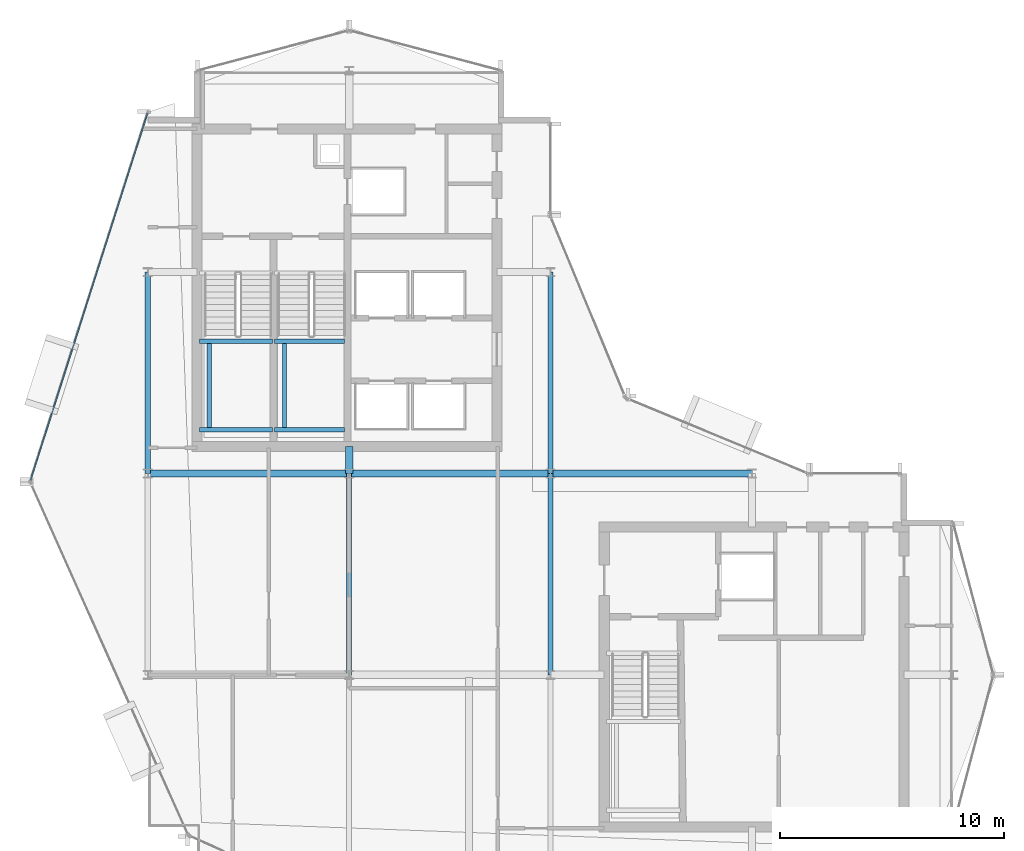
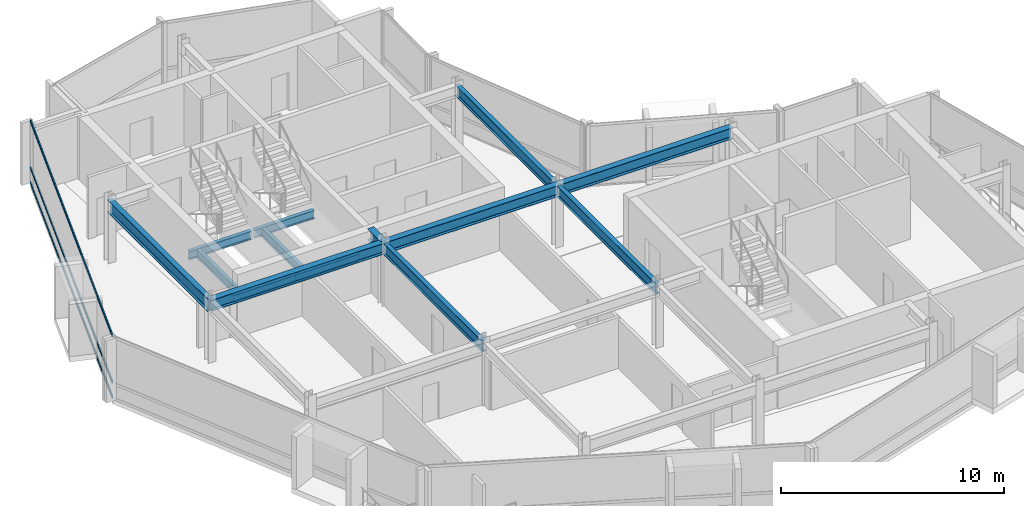
# One storey, part 7 of 19: 14 beams, 3 members, 1 element without a shape of its own.
"""IFC4 building model written with IfcOpenShell, lengths in metres."""

from ifc_helpers import new_model, si_unit, direction, frame, origin, origin_2d, place, context, subcontext, project, spatial, hollow_rectangle, i_section, extrude, material, layer, layer_set, material_profile, profile_set, type_object, element, aggregate, save


model = new_model("IFC4")

# Units and contexts
model_context = context("Model", 3, precision=1e-05, world=origin(), true_north=direction((0.0, 1.0)))
body_context = subcontext(model_context, "Body", "Model", "MODEL_VIEW")
ifc_project = project(units=[si_unit("LENGTHUNIT", "METRE"), si_unit("AREAUNIT", "SQUARE_METRE"), si_unit("VOLUMEUNIT", "CUBIC_METRE"), si_unit("PLANEANGLEUNIT", "RADIAN"), si_unit("MASSUNIT", "GRAM", prefix="KILO")], contexts=[model_context])

# Site, building, storey
site_placement = place(None, origin())
site = spatial("IfcSite", under=ifc_project, at=site_placement, CompositionType="ELEMENT")
building_placement = place(site_placement, origin())
building = spatial("IfcBuilding", under=site, at=building_placement, Name="Solvaryn Broadcast Tower", CompositionType="ELEMENT")
storey_placement = place(building_placement, frame((0.0, 0.0, 277.800048828125)))
storey = spatial("IfcBuildingStorey", under=building, at=storey_placement, Name="L70", CompositionType="ELEMENT", Elevation=277.800048828125)

# Beams
ifc_material_1 = material(Name="Steel ASTM A992 Grade 50", Category="steel")
ifc_material_profile_1 = material_profile(ifc_material_1, i_section(OverallWidth=0.323974609375, OverallDepth=0.611083984375, WebThickness=0.0126953125, FlangeThickness=0.01904296875, FilletRadius=0.014892578125, at=origin_2d()))
ifc_profile_set_1 = profile_set([ifc_material_profile_1], Name="Steel ASTM A992 Grade 50")
beam_type_1 = type_object("IfcBeamType", Name="BM-B1-W24X104", PredefinedType="BEAM", material=ifc_profile_set_1)
for number, where, z_axis, x_axis, name in (
    (1, (9.0, 27.0, 3.114501953125), (1.0, 0.0, 0.0), (0.0, 1.0, 0.0), "L70 Primary Beam X (9-18 @ Y=27)"),
    (2, (18.0, 27.0, 3.114501953125), (1.0, 0.0, 0.0), (0.0, 1.0, 0.0), "L70 Primary Beam X (18-27 @ Y=27)"),
    (3, (27.0, 27.0, 3.114501953125), (1.0, 0.0, 0.0), (0.0, 1.0, 0.0), "L70 Primary Beam X (27-36 @ Y=27)"),
):
    element("IfcBeam", number, at=place(storey_placement, frame(where, z_axis=z_axis, x_axis=x_axis)), inside=storey, type_object=beam_type_1, Name=name, PredefinedType="BEAM", context=body_context, shape_type="SweptSolid", body=[
        extrude(i_section(OverallWidth=0.323974609375, OverallDepth=0.611083984375, WebThickness=0.0126953125, FlangeThickness=0.01904296875, FilletRadius=0.014892578125, at=origin_2d()), origin(), (0.0, 0.0, 1.0), 9.0),
    ])
beam_1_placement = place(storey_placement, frame((18.0, 27.0, 3.114501953125), z_axis=(0.0, 1.0, 0.0), x_axis=(-1.0, 0.0, 0.0)))
element("IfcBeam", 4, at=beam_1_placement, inside=storey, type_object=beam_type_1, Name="L70 Core Tie Beam CTW4", PredefinedType="BEAM", context=body_context, shape_type="SweptSolid", body=[
    extrude(i_section(OverallWidth=0.323974609375, OverallDepth=0.611083984375, WebThickness=0.0126953125, FlangeThickness=0.01904296875, FilletRadius=0.014892578125, at=origin_2d()), origin(), (0.0, 0.0, 1.0), 1.199951171875),
])
ifc_material_2 = material(Name="Steel ASTM A992 Grade 50", Category="steel")
ifc_material_profile_2 = material_profile(ifc_material_2, i_section(OverallWidth=0.22802734375, OverallDepth=0.60791015625, WebThickness=0.01123046875, FlangeThickness=0.017333984375, FilletRadius=0.014892578125, at=origin_2d()))
ifc_profile_set_2 = profile_set([ifc_material_profile_2], Name="Steel ASTM A992 Grade 50")
beam_type_2 = type_object("IfcBeamType", Name="BM-B2-W24X76", PredefinedType="BEAM", material=ifc_profile_set_2)
for number, where, z_axis, x_axis, name in (
    (5, (18.0, 18.0, 3.115966796875), (0.0, 1.0, 0.0), (-1.0, 0.0, 0.0), "L70 Primary Beam Y (18-27 @ X=18)"),
    (6, (27.0, 18.0, 3.115966796875), (0.0, 1.0, 0.0), (-1.0, 0.0, 0.0), "L70 Primary Beam Y (18-27 @ X=27)"),
    (7, (27.0, 27.0, 3.115966796875), (0.0, 1.0, 0.0), (-1.0, 0.0, 0.0), "L70 Primary Beam Y (27-36 @ X=27)"),
):
    element("IfcBeam", number, at=place(storey_placement, frame(where, z_axis=z_axis, x_axis=x_axis)), inside=storey, type_object=beam_type_2, Name=name, PredefinedType="BEAM", context=body_context, shape_type="SweptSolid", body=[
        extrude(i_section(OverallWidth=0.22802734375, OverallDepth=0.60791015625, WebThickness=0.01123046875, FlangeThickness=0.017333984375, FilletRadius=0.014892578125, at=origin_2d()), origin(), (0.0, 0.0, 1.0), 9.0),
    ])
ifc_material_3 = material(Name="Steel ASTM A992 Grade 50", Category="steel")
ifc_material_profile_3 = material_profile(ifc_material_3, i_section(OverallWidth=0.18994140625, OverallDepth=0.45703125, WebThickness=0.009033203125, FlangeThickness=0.014404296875, FilletRadius=0.011962890625, at=origin_2d()))
ifc_profile_set_3 = profile_set([ifc_material_profile_3], Name="Steel ASTM A992 Grade 50")
beam_type_3 = type_object("IfcBeamType", Name="BM-B4-W18X50", PredefinedType="BEAM", material=ifc_profile_set_3)
for number, where, z_axis, x_axis, name in (
    (8, (11.300048828125, 28.949951171875, 1.42138671875), (1.0, 0.0, 0.0), (0.0, 1.0, 0.0), "L70 ST1 Landing Support Beam 1A"),
    (9, (11.300048828125, 32.909912109375, 1.42138671875), (1.0, 0.0, 0.0), (0.0, 1.0, 0.0), "L70 ST1 Landing Support Beam 1B"),
):
    element("IfcBeam", number, at=place(storey_placement, frame(where, z_axis=z_axis, x_axis=x_axis)), inside=storey, type_object=beam_type_3, Name=name, PredefinedType="BEAM", context=body_context, shape_type="SweptSolid", body=[
        extrude(i_section(OverallWidth=0.18994140625, OverallDepth=0.45703125, WebThickness=0.009033203125, FlangeThickness=0.014404296875, FilletRadius=0.011962890625, at=origin_2d()), origin(), (0.0, 0.0, 1.0), 3.280029296875),
    ])
beam_2_placement = place(storey_placement, frame((11.75, 28.949951171875, 1.42138671875), z_axis=(0.0, 1.0, 0.0), x_axis=(-1.0, 0.0, 0.0)))
element("IfcBeam", 10, at=beam_2_placement, inside=storey, type_object=beam_type_3, Name="L70 ST1 Landing Cross Stringer 1C", PredefinedType="BEAM", context=body_context, shape_type="SweptSolid", body=[
    extrude(i_section(OverallWidth=0.18994140625, OverallDepth=0.45703125, WebThickness=0.009033203125, FlangeThickness=0.014404296875, FilletRadius=0.011962890625, at=origin_2d()), origin(), (0.0, 0.0, 1.0), 3.9599609375),
])
for number, where, z_axis, x_axis, name in (
    (11, (14.659912109375, 28.949951171875, 1.42138671875), (1.0, 0.0, 0.0), (0.0, 1.0, 0.0), "L70 ST2 Landing Support Beam 1A"),
    (12, (14.659912109375, 32.909912109375, 1.42138671875), (1.0, 0.0, 0.0), (0.0, 1.0, 0.0), "L70 ST2 Landing Support Beam 1B"),
):
    element("IfcBeam", number, at=place(storey_placement, frame(where, z_axis=z_axis, x_axis=x_axis)), inside=storey, type_object=beam_type_3, Name=name, PredefinedType="BEAM", context=body_context, shape_type="SweptSolid", body=[
        extrude(i_section(OverallWidth=0.18994140625, OverallDepth=0.45703125, WebThickness=0.009033203125, FlangeThickness=0.014404296875, FilletRadius=0.011962890625, at=origin_2d()), origin(), (0.0, 0.0, 1.0), 3.14013671875),
    ])
beam_3_placement = place(storey_placement, frame((15.110107421875, 28.949951171875, 1.42138671875), z_axis=(0.0, 1.0, 0.0), x_axis=(-1.0, 0.0, 0.0)))
element("IfcBeam", 13, at=beam_3_placement, inside=storey, type_object=beam_type_3, Name="L70 ST2 Landing Cross Stringer 1C", PredefinedType="BEAM", context=body_context, shape_type="SweptSolid", body=[
    extrude(i_section(OverallWidth=0.18994140625, OverallDepth=0.45703125, WebThickness=0.009033203125, FlangeThickness=0.014404296875, FilletRadius=0.011962890625, at=origin_2d()), origin(), (0.0, 0.0, 1.0), 3.9599609375),
])
ifc_material_4 = material(Name="Steel ASTM A992 Grade 50", Category="steel")
ifc_material_profile_4 = material_profile(ifc_material_4, i_section(OverallWidth=0.256103515625, OverallDepth=0.693115234375, WebThickness=0.014404296875, FlangeThickness=0.023681640625, FilletRadius=0.01611328125, at=origin_2d()))
ifc_profile_set_4 = profile_set([ifc_material_profile_4], Name="Steel ASTM A992 Grade 50")
beam_type_4 = type_object("IfcBeamType", Name="BM-SP3-W27X114", PredefinedType="USERDEFINED", material=ifc_profile_set_4)
beam_4_placement = place(storey_placement, frame((9.0, 27.0, 3.073486328125), z_axis=(0.0, 1.0, 0.0), x_axis=(-1.0, 0.0, 0.0)))
element("IfcBeam", 14, at=beam_4_placement, inside=storey, type_object=beam_type_4, Name="L70 Spandrel Beam Y (27-36 @ X=9)", ObjectType="SPANDREL", PredefinedType="USERDEFINED", context=body_context, shape_type="SweptSolid", body=[
    extrude(i_section(OverallWidth=0.256103515625, OverallDepth=0.693115234375, WebThickness=0.014404296875, FlangeThickness=0.023681640625, FilletRadius=0.01611328125, at=origin_2d()), origin(), (0.0, 0.0, 1.0), 9.0),
])

# Curtain wall, members
ifc_material_5 = material(Name="Aluminium and Terracotta Unitised Curtain Wall", Category="masonry")
ifc_layer = layer(ifc_material_5, 0.199951171875)
ifc_layer_set = layer_set([ifc_layer], Name="CW-SYS2-LOWMID")
curtain_wall_type = type_object("IfcCurtainWallType", Name="CW-SYS2-LOWMID", PredefinedType="NOTDEFINED", material=ifc_layer_set)
curtain_wall_placement = place(storey_placement, origin())
curtain_wall = element("IfcCurtainWall", 15, at=curtain_wall_placement, inside=storey, type_object=curtain_wall_type, Name="L70 Curtain Wall DR1", PredefinedType="NOTDEFINED")
ifc_material_6 = material(Name="Anodised Aluminium 6063-T6", Category="aluminium")
ifc_material_profile_5 = material_profile(ifc_material_6, hollow_rectangle(XDim=0.06494140625, YDim=0.14990234375, WallThickness=0.00390625, InnerFilletRadius=0.00390625, OuterFilletRadius=0.008056640625, at=origin_2d()))
ifc_profile_set_5 = profile_set([ifc_material_profile_5], Name="Anodised Aluminium 6063-T6")
member_type = type_object("IfcMemberType", Name="CW-TRN-150", PredefinedType="USERDEFINED", material=ifc_profile_set_5)
member_1_placement = place(storey_placement, frame((8.981689453125, 43.091796875, 0.030029296875), z_axis=(-0.303616405252, -0.952794352661, 0.0), x_axis=(0.952794352661, -0.303616405252, 0.0)))
member_1 = element("IfcMember", 16, at=member_1_placement, type_object=member_type, Name="CWS2 transom 1.1", ObjectType="TRANSOM", PredefinedType="USERDEFINED", context=body_context, shape_type="SweptSolid", body=[
    extrude(hollow_rectangle(XDim=0.06494140625, YDim=0.14990234375, WallThickness=0.00390625, InnerFilletRadius=0.00390625, OuterFilletRadius=0.008056640625, at=origin_2d()), origin(), (0.0, 0.0, 1.0), 17.211181640625),
])
member_2_placement = place(storey_placement, frame((8.981689453125, 43.091796875, 0.849853515625), z_axis=(-0.303616405252, -0.952794352661, 0.0), x_axis=(0.952794352661, -0.303616405252, 0.0)))
member_2 = element("IfcMember", 17, at=member_2_placement, type_object=member_type, Name="CWS2 transom 1.2", ObjectType="TRANSOM", PredefinedType="USERDEFINED", context=body_context, shape_type="SweptSolid", body=[
    extrude(hollow_rectangle(XDim=0.06494140625, YDim=0.14990234375, WallThickness=0.00390625, InnerFilletRadius=0.00390625, OuterFilletRadius=0.008056640625, at=origin_2d()), origin(), (0.0, 0.0, 1.0), 17.211181640625),
])
member_3_placement = place(storey_placement, frame((8.981689453125, 43.091796875, 3.389892578125), z_axis=(-0.303616405252, -0.952794352661, 0.0), x_axis=(0.952794352661, -0.303616405252, 0.0)))
member_3 = element("IfcMember", 18, at=member_3_placement, type_object=member_type, Name="CWS2 transom 1.3", ObjectType="TRANSOM", PredefinedType="USERDEFINED", context=body_context, shape_type="SweptSolid", body=[
    extrude(hollow_rectangle(XDim=0.06494140625, YDim=0.14990234375, WallThickness=0.00390625, InnerFilletRadius=0.00390625, OuterFilletRadius=0.008056640625, at=origin_2d()), origin(), (0.0, 0.0, 1.0), 17.211181640625),
])
aggregate(curtain_wall, [member_1, member_2, member_3])

save(model, "model.ifc")
